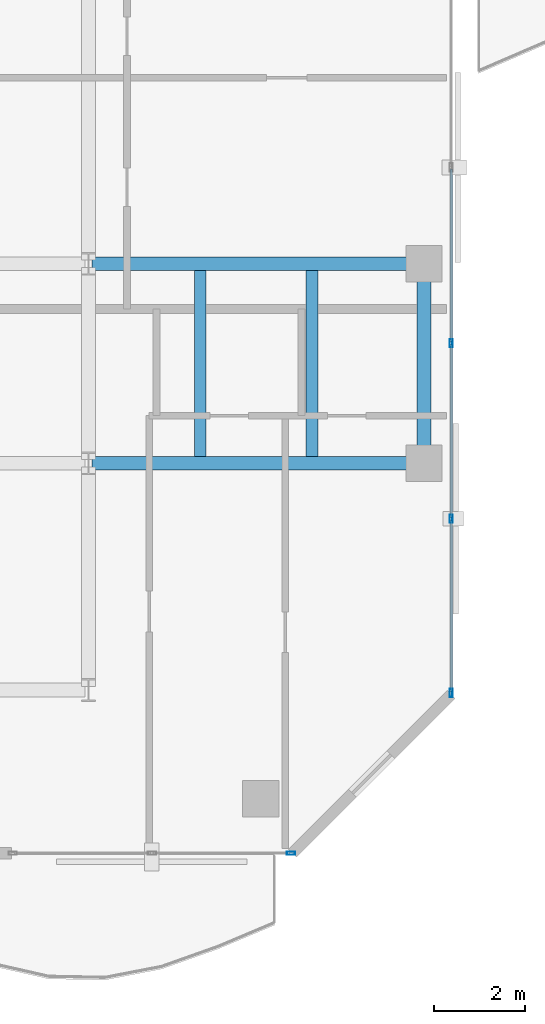
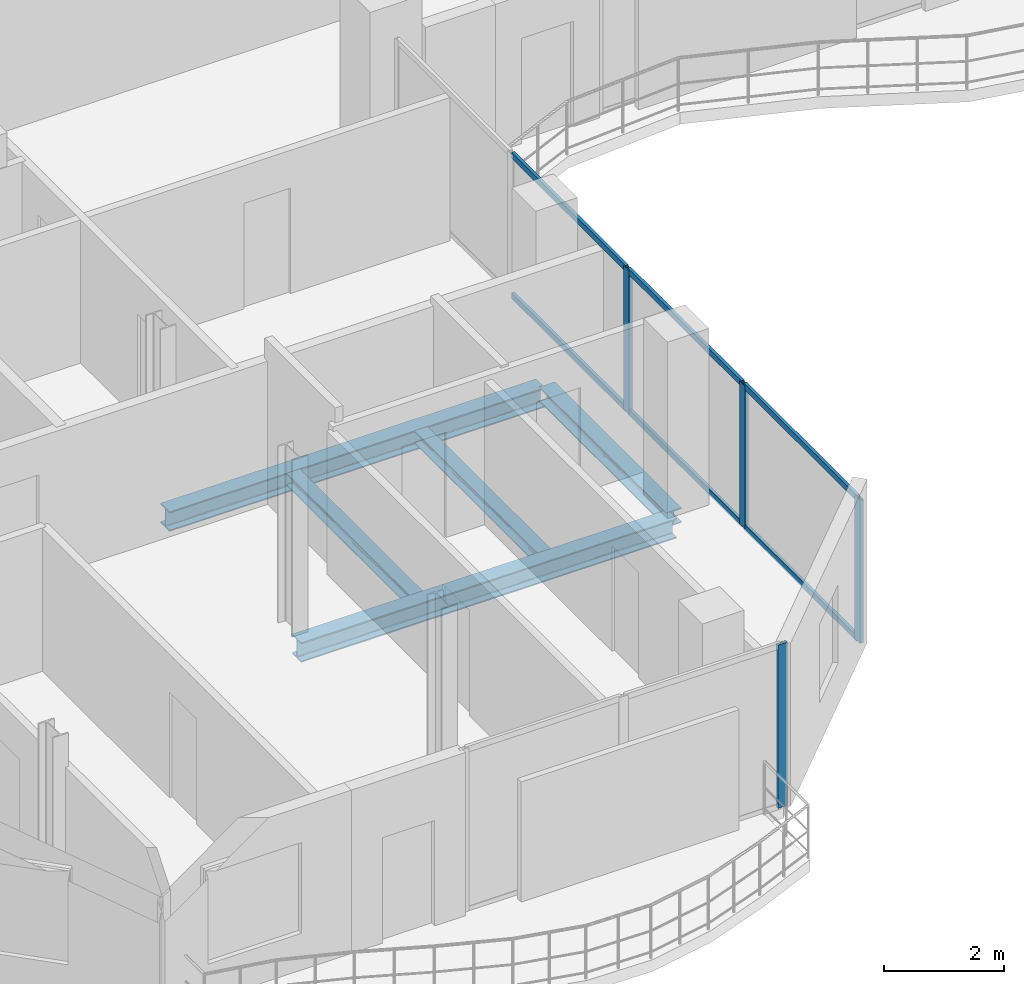
# One storey, part 6 of 23: 10 members, 5 beams, 2 elements without a shape of their own.
"""IFC4 building model written with IfcOpenShell, lengths in metres."""

from ifc_helpers import new_model, si_unit, direction, frame, origin, origin_2d, place, context, subcontext, project, spatial, hollow_rectangle, i_section, extrude, material, layer, layer_set, material_profile, profile_set, type_object, element, aggregate, save


model = new_model("IFC4")

# Units and contexts
model_context = context("Model", 3, precision=1e-05, world=origin(), true_north=direction((0.0, 1.0)))
body_context = subcontext(model_context, "Body", "Model", "MODEL_VIEW")
ifc_project = project(units=[si_unit("LENGTHUNIT", "METRE"), si_unit("AREAUNIT", "SQUARE_METRE"), si_unit("VOLUMEUNIT", "CUBIC_METRE"), si_unit("PLANEANGLEUNIT", "RADIAN"), si_unit("MASSUNIT", "GRAM", prefix="KILO")], contexts=[model_context])

# Site, building, storey
site_placement = place(None, origin())
site = spatial("IfcSite", under=ifc_project, at=site_placement, CompositionType="ELEMENT")
building_placement = place(site_placement, origin())
building = spatial("IfcBuilding", under=site, at=building_placement, Name="Catumbela Crestline Tower", CompositionType="ELEMENT")
storey_placement = place(building_placement, frame((0.0, 0.0, 172.2)))
storey = spatial("IfcBuildingStorey", under=building, at=storey_placement, Name="L44", CompositionType="ELEMENT", Elevation=172.2)

# Beams
ifc_material_1 = material(Name="Structural steel S355J2", Category="steel")
ifc_material_profile_1 = material_profile(ifc_material_1, i_section(OverallWidth=0.3, OverallDepth=0.4, WebThickness=0.0135, FlangeThickness=0.024, FilletRadius=0.027, at=origin_2d()), Name="HEB 400")
ifc_profile_set_1 = profile_set([ifc_material_profile_1], Name="Structural steel S355J2")
beam_type_1 = type_object("IfcBeamType", Name="BG-HEB400", PredefinedType="BEAM", material=ifc_profile_set_1)
for number, where, z_axis, x_axis, name in (
    (1, (16.08, 13.6, -0.46), (1.0, 0.0, 0.0), (0.0, 1.0, 0.0), "L44 Beam BM-L44-WEW34"),
    (2, (16.08, 18.0, -0.46), (1.0, 0.0, 0.0), (0.0, 1.0, 0.0), "L44 Beam BM-L44-WEW36"),
):
    element("IfcBeam", number, at=place(storey_placement, frame(where, z_axis=z_axis, x_axis=x_axis)), inside=storey, type_object=beam_type_1, Name=name, PredefinedType="BEAM", context=body_context, shape_type="SweptSolid", body=[
        extrude(i_section(OverallWidth=0.3, OverallDepth=0.4, WebThickness=0.0135, FlangeThickness=0.024, FilletRadius=0.027, at=origin_2d()), origin(), (0.0, 0.0, 1.0), 7.24),
    ])
ifc_material_profile_2 = material_profile(ifc_material_1, i_section(OverallWidth=0.26, OverallDepth=0.25, WebThickness=0.0075, FlangeThickness=0.0125, FilletRadius=0.024, at=origin_2d()), Name="HEA 260")
ifc_profile_set_2 = profile_set([ifc_material_profile_2], Name="Structural steel S355J2")
beam_type_2 = type_object("IfcBeamType", Name="BJ-HEA260", PredefinedType="JOIST", material=ifc_profile_set_2)
for number, where, z_axis, x_axis, name in (
    (3, (18.467, 13.747, -0.385), (0.0, 1.0, 0.0), (-1.0, 0.0, 0.0), "L44 Joist JS-L44-WG48"),
    (4, (20.933, 13.747, -0.385), (0.0, 1.0, 0.0), (-1.0, 0.0, 0.0), "L44 Joist JS-L44-WG49"),
):
    element("IfcBeam", number, at=place(storey_placement, frame(where, z_axis=z_axis, x_axis=x_axis)), inside=storey, type_object=beam_type_2, Name=name, PredefinedType="JOIST", context=body_context, shape_type="SweptSolid", body=[
        extrude(i_section(OverallWidth=0.26, OverallDepth=0.25, WebThickness=0.0075, FlangeThickness=0.0125, FilletRadius=0.024, at=origin_2d()), origin(), (0.0, 0.0, 1.0), 4.106),
    ])

# Curtain wall, member
ifc_material_2 = material(Name="Aluminium alloy AW-6060-T66", Category="aluminium")
ifc_layer = layer(ifc_material_2, 0.18, Name="Aluminium alloy AW-6060-T66")
ifc_layer_set = layer_set([ifc_layer], Name="Aluminium alloy AW-6060-T66")
curtain_wall_type = type_object("IfcCurtainWallType", Name="CWU-Z3", PredefinedType="USERDEFINED", material=ifc_layer_set)
curtain_wall_1_placement = place(storey_placement, origin())
curtain_wall_1 = element("IfcCurtainWall", 5, at=curtain_wall_1_placement, inside=storey, type_object=curtain_wall_type, Name="L44 Unitised Curtain Wall CW-L44-E0S2", ObjectType="UNITISED", PredefinedType="USERDEFINED")
ifc_material_profile_3 = material_profile(ifc_material_2, hollow_rectangle(XDim=0.065, YDim=0.18, WallThickness=0.004, at=origin_2d()), Name="ALU 180x65x4")
ifc_profile_set_3 = profile_set([ifc_material_profile_3], Name="Aluminium alloy AW-6060-T66")
member_type_1 = type_object("IfcMemberType", Name="MUL-180X65", PredefinedType="MULLION", material=ifc_profile_set_3)
member_1_placement = place(storey_placement, frame((20.4675, 5.0, 0.0), z_axis=(0.0, 0.0, 1.0), x_axis=(0.0, 1.0, 0.0)))
member_1 = element("IfcMember", 6, at=member_1_placement, type_object=member_type_1, Name="CWU-Z3 mullion 3", PredefinedType="MULLION", context=body_context, shape_type="SweptSolid", body=[
    extrude(hollow_rectangle(XDim=0.065, YDim=0.18, WallThickness=0.004, at=origin_2d()), origin(), (0.0, 0.0, 1.0), 3.33),
])
aggregate(curtain_wall_1, [member_1])

# Curtain wall, members
curtain_wall_2_placement = place(storey_placement, origin())
curtain_wall_2 = element("IfcCurtainWall", 7, at=curtain_wall_2_placement, inside=storey, type_object=curtain_wall_type, Name="L44 Unitised Curtain Wall CW-L44-E2S1", ObjectType="UNITISED", PredefinedType="USERDEFINED")
member_2_placement = place(storey_placement, frame((24.0, 8.5325, 0.0), z_axis=(0.0, 0.0, 1.0), x_axis=(-1.0, 0.0, 0.0)))
member_2 = element("IfcMember", 8, at=member_2_placement, type_object=member_type_1, Name="CWU-Z3 mullion 1", PredefinedType="MULLION", context=body_context, shape_type="SweptSolid", body=[
    extrude(hollow_rectangle(XDim=0.065, YDim=0.18, WallThickness=0.004, at=origin_2d()), origin(), (0.0, 0.0, 1.0), 2.92),
])
member_3_placement = place(storey_placement, frame((24.0, 12.375, 0.0), z_axis=(0.0, 0.0, 1.0), x_axis=(-1.0, 0.0, 0.0)))
member_3 = element("IfcMember", 9, at=member_3_placement, type_object=member_type_1, Name="CWU-Z3 mullion 2", PredefinedType="MULLION", context=body_context, shape_type="SweptSolid", body=[
    extrude(hollow_rectangle(XDim=0.065, YDim=0.18, WallThickness=0.004, at=origin_2d()), origin(), (0.0, 0.0, 1.0), 2.92),
])
member_4_placement = place(storey_placement, frame((24.0, 16.25, 0.0), z_axis=(0.0, 0.0, 1.0), x_axis=(-1.0, 0.0, 0.0)))
member_4 = element("IfcMember", 10, at=member_4_placement, type_object=member_type_1, Name="CWU-Z3 mullion 3", PredefinedType="MULLION", context=body_context, shape_type="SweptSolid", body=[
    extrude(hollow_rectangle(XDim=0.065, YDim=0.18, WallThickness=0.004, at=origin_2d()), origin(), (0.0, 0.0, 1.0), 2.92),
])

# Beam
ifc_material_profile_4 = material_profile(ifc_material_1, i_section(OverallWidth=0.3, OverallDepth=0.3, WebThickness=0.011, FlangeThickness=0.019, FilletRadius=0.027, at=origin_2d()), Name="HEB 300")
ifc_profile_set_4 = profile_set([ifc_material_profile_4], Name="Structural steel S355J2")
beam_type_3 = type_object("IfcBeamType", Name="BS-HEB300", PredefinedType="SPANDREL", material=ifc_profile_set_4)
beam_placement = place(storey_placement, frame((23.4, 13.68, -0.41), z_axis=(0.0, 1.0, 0.0), x_axis=(-1.0, 0.0, 0.0)))
element("IfcBeam", 11, at=beam_placement, inside=storey, type_object=beam_type_3, Name="L44 Spandrel SP-L44-WNS43", PredefinedType="SPANDREL", context=body_context, shape_type="SweptSolid", body=[
    extrude(i_section(OverallWidth=0.3, OverallDepth=0.3, WebThickness=0.011, FlangeThickness=0.019, FilletRadius=0.027, at=origin_2d()), origin(), (0.0, 0.0, 1.0), 4.24),
])

# Member
ifc_material_profile_5 = material_profile(ifc_material_2, hollow_rectangle(XDim=0.06, YDim=0.12, WallThickness=0.0035, at=origin_2d()), Name="ALU 120x60x3.5")
ifc_profile_set_5 = profile_set([ifc_material_profile_5], Name="Aluminium alloy AW-6060-T66")
member_type_2 = type_object("IfcMemberType", Name="TRN-120X60", PredefinedType="USERDEFINED", material=ifc_profile_set_5)
member_5_placement = place(storey_placement, frame((24.0, 8.565, 0.03), z_axis=(0.0, 1.0, 0.0), x_axis=(-1.0, 0.0, 0.0)))
member_5 = element("IfcMember", 12, at=member_5_placement, type_object=member_type_2, Name="CWU-Z3 transom 1.1", ObjectType="TRANSOM", PredefinedType="USERDEFINED", context=body_context, shape_type="SweptSolid", body=[
    extrude(hollow_rectangle(XDim=0.06, YDim=0.12, WallThickness=0.0035, at=origin_2d()), origin(), (0.0, 0.0, 1.0), 3.7775),
])

member_6_placement = place(storey_placement, frame((24.0, 8.565, 2.89), z_axis=(0.0, 1.0, 0.0), x_axis=(-1.0, 0.0, 0.0)))
member_6 = element("IfcMember", 13, at=member_6_placement, type_object=member_type_2, Name="CWU-Z3 transom 1.2", ObjectType="TRANSOM", PredefinedType="USERDEFINED", context=body_context, shape_type="SweptSolid", body=[
    extrude(hollow_rectangle(XDim=0.06, YDim=0.12, WallThickness=0.0035, at=origin_2d()), origin(), (0.0, 0.0, 1.0), 3.7775),
])

member_7_placement = place(storey_placement, frame((24.0, 12.4075, 0.03), z_axis=(0.0, 1.0, 0.0), x_axis=(-1.0, 0.0, 0.0)))
member_7 = element("IfcMember", 14, at=member_7_placement, type_object=member_type_2, Name="CWU-Z3 transom 2.1", ObjectType="TRANSOM", PredefinedType="USERDEFINED", context=body_context, shape_type="SweptSolid", body=[
    extrude(hollow_rectangle(XDim=0.06, YDim=0.12, WallThickness=0.0035, at=origin_2d()), origin(), (0.0, 0.0, 1.0), 3.81),
])

member_8_placement = place(storey_placement, frame((24.0, 12.4075, 2.89), z_axis=(0.0, 1.0, 0.0), x_axis=(-1.0, 0.0, 0.0)))
member_8 = element("IfcMember", 15, at=member_8_placement, type_object=member_type_2, Name="CWU-Z3 transom 2.2", ObjectType="TRANSOM", PredefinedType="USERDEFINED", context=body_context, shape_type="SweptSolid", body=[
    extrude(hollow_rectangle(XDim=0.06, YDim=0.12, WallThickness=0.0035, at=origin_2d()), origin(), (0.0, 0.0, 1.0), 3.81),
])

member_9_placement = place(storey_placement, frame((24.0, 16.2825, 0.03), z_axis=(0.0, 1.0, 0.0), x_axis=(-1.0, 0.0, 0.0)))
member_9 = element("IfcMember", 16, at=member_9_placement, type_object=member_type_2, Name="CWU-Z3 transom 3.1", ObjectType="TRANSOM", PredefinedType="USERDEFINED", context=body_context, shape_type="SweptSolid", body=[
    extrude(hollow_rectangle(XDim=0.06, YDim=0.12, WallThickness=0.0035, at=origin_2d()), origin(), (0.0, 0.0, 1.0), 3.81),
])

member_10_placement = place(storey_placement, frame((24.0, 16.2825, 2.89), z_axis=(0.0, 1.0, 0.0), x_axis=(-1.0, 0.0, 0.0)))
member_10 = element("IfcMember", 17, at=member_10_placement, type_object=member_type_2, Name="CWU-Z3 transom 3.2", ObjectType="TRANSOM", PredefinedType="USERDEFINED", context=body_context, shape_type="SweptSolid", body=[
    extrude(hollow_rectangle(XDim=0.06, YDim=0.12, WallThickness=0.0035, at=origin_2d()), origin(), (0.0, 0.0, 1.0), 3.81),
])

aggregate(curtain_wall_2, [member_2, member_3, member_4, member_5, member_6, member_7, member_8, member_9, member_10])

save(model, "model.ifc")
